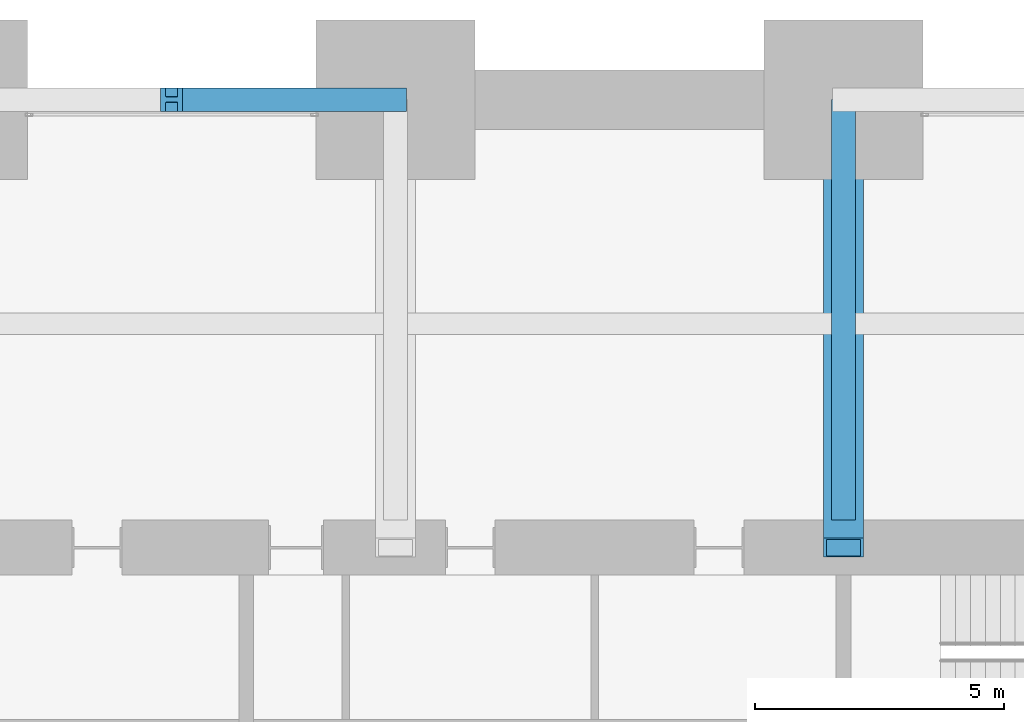
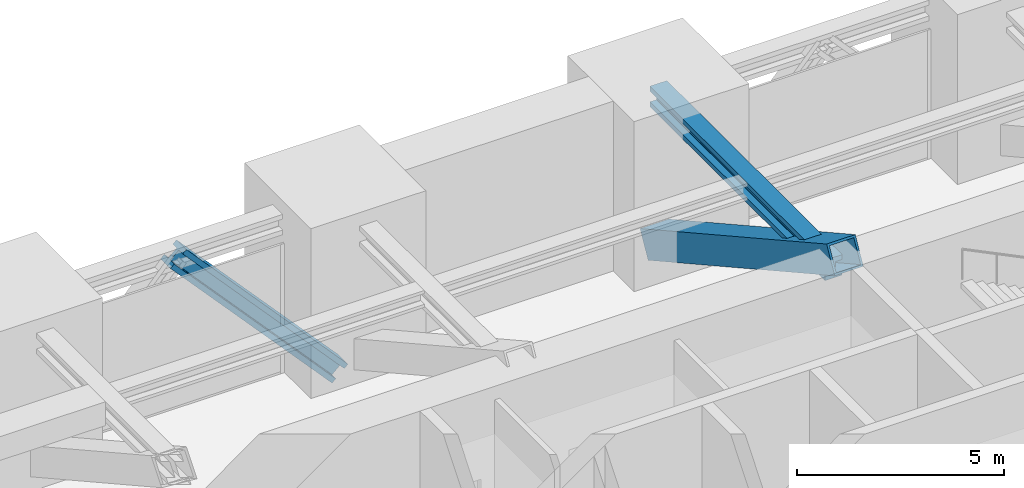
# One storey, part 28 of 38: 2 members, 1 beam.
"""IFC4 building model written with IfcOpenShell, lengths in metres."""

from ifc_helpers import new_model, si_unit, direction, frame, origin, origin_2d, place, context, subcontext, project, spatial, hollow_rectangle, i_section, extrude, material, material_profile, profile_set, type_object, element, save


model = new_model("IFC4")

# Units and contexts
model_context = context("Model", 3, precision=1e-05, world=origin(), true_north=direction((0.0, 1.0)))
body_context = subcontext(model_context, "Body", "Model", "MODEL_VIEW")
ifc_project = project(units=[si_unit("LENGTHUNIT", "METRE"), si_unit("AREAUNIT", "SQUARE_METRE"), si_unit("VOLUMEUNIT", "CUBIC_METRE"), si_unit("PLANEANGLEUNIT", "RADIAN"), si_unit("MASSUNIT", "GRAM", prefix="KILO")], contexts=[model_context])

# Site, building, storey
site_placement = place(None, origin())
site = spatial("IfcSite", under=ifc_project, at=site_placement, CompositionType="ELEMENT")
building_placement = place(site_placement, origin())
building = spatial("IfcBuilding", under=site, at=building_placement, Name="Zorevar Civic Tower", CompositionType="ELEMENT")
storey_placement = place(building_placement, frame((0.0, 0.0, 157.199951171875)))
storey = spatial("IfcBuildingStorey", under=building, at=storey_placement, Name="L38", CompositionType="ELEMENT", Elevation=157.199951171875)

# Member
ifc_material_1 = material(Name="Steel S460M (HISTAR 460)", Category="steel")
ifc_material_profile_1 = material_profile(ifc_material_1, i_section(OverallWidth=0.47607421875, OverallDepth=0.60009765625, WebThickness=0.10009765625, FlangeThickness=0.139892578125, FilletRadius=0.014892578125, at=origin_2d()), Name="HD 400x1299")
ifc_profile_set_1 = profile_set([ifc_material_profile_1], Name="Steel S460M (HISTAR 460)")
member_type_1 = type_object("IfcMemberType", Name="Belt strut HD 400x1299", PredefinedType="BRACE", material=ifc_profile_set_1)
member_1_placement = place(storey_placement, frame((27.0, 45.0, -0.64990234375), z_axis=(-0.672676426978, 0.0, 0.739936770669), x_axis=(0.0, -1.0, 0.0)))
element("IfcMember", 1, at=member_1_placement, inside=storey, type_object=member_type_1, Name="Belt strut N L38", PredefinedType="BRACE", context=body_context, shape_type="SweptSolid", body=[
    extrude(i_section(OverallWidth=0.47607421875, OverallDepth=0.60009765625, WebThickness=0.10009765625, FlangeThickness=0.139892578125, FilletRadius=0.014892578125, at=origin_2d()), origin(), (0.0, 0.0, 1.0), 6.689697265625),
])

# Beam
ifc_material_2 = material(Name="Steel S460M (HISTAR 460)", Category="steel")
ifc_material_profile_2 = material_profile(ifc_material_2, i_section(OverallWidth=0.47607421875, OverallDepth=0.60009765625, WebThickness=0.10009765625, FlangeThickness=0.139892578125, FilletRadius=0.014892578125, at=origin_2d()), Name="HD 400x1299")
ifc_profile_set_2 = profile_set([ifc_material_profile_2], Name="Steel S460M (HISTAR 460)")
beam_type = type_object("IfcBeamType", Name="Outrigger chord HD 400x1299", PredefinedType="BEAM", material=ifc_profile_set_2)
beam_placement = place(storey_placement, frame((36.0, 36.550048828125, 4.300048828125), z_axis=(0.0, 1.0, 0.0), x_axis=(-1.0, 0.0, 0.0)))
element("IfcBeam", 2, at=beam_placement, inside=storey, type_object=beam_type, Name="Outrigger chord L39", PredefinedType="BEAM", context=body_context, shape_type="SweptSolid", body=[
    extrude(i_section(OverallWidth=0.47607421875, OverallDepth=0.60009765625, WebThickness=0.10009765625, FlangeThickness=0.139892578125, FilletRadius=0.014892578125, at=origin_2d()), origin(), (0.0, 0.0, 1.0), 8.449951171875),
])

# Member
ifc_material_3 = material(Name="Steel S460M (HISTAR 460)", Category="steel")
ifc_material_profile_3 = material_profile(ifc_material_3, hollow_rectangle(XDim=0.800048828125, YDim=0.800048828125, WallThickness=0.06005859375, at=origin_2d()), Name="BOX 800x800x60")
ifc_profile_set_3 = profile_set([ifc_material_profile_3], Name="Steel S460M (HISTAR 460)")
member_type_2 = type_object("IfcMemberType", Name="Outrigger diagonal BOX 800x800x60", PredefinedType="BRACE", material=ifc_profile_set_3)
member_2_placement = place(storey_placement, frame((36.0, 36.0, 5.0), z_axis=(0.0, 0.874157276122, -0.485642931179), x_axis=(-1.0, 0.0, 0.0)))
element("IfcMember", 3, at=member_2_placement, inside=storey, type_object=member_type_2, Name="Outrigger diagonal N L38", PredefinedType="BRACE", context=body_context, shape_type="SweptSolid", body=[
    extrude(hollow_rectangle(XDim=0.800048828125, YDim=0.800048828125, WallThickness=0.06005859375, at=origin_2d()), origin(), (0.0, 0.0, 1.0), 10.295654296875),
])

save(model, "model.ifc")
